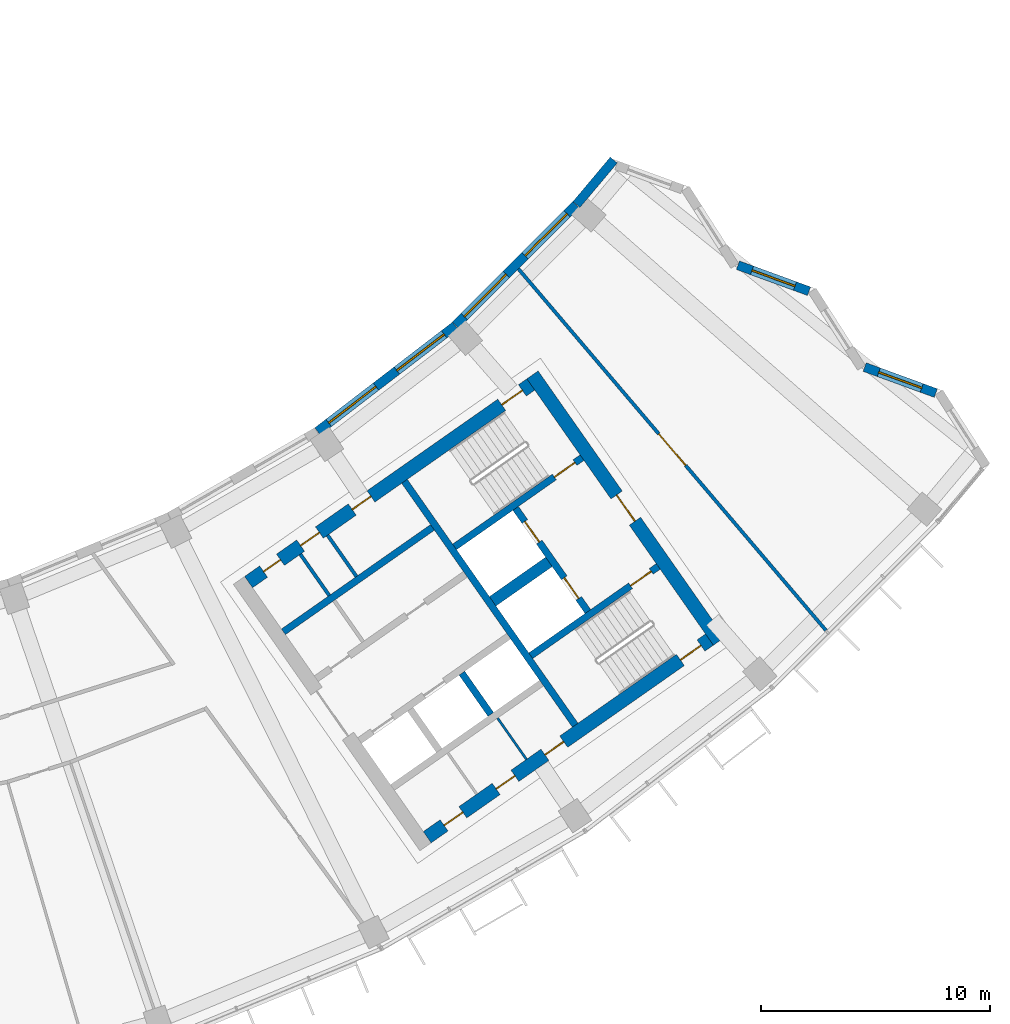
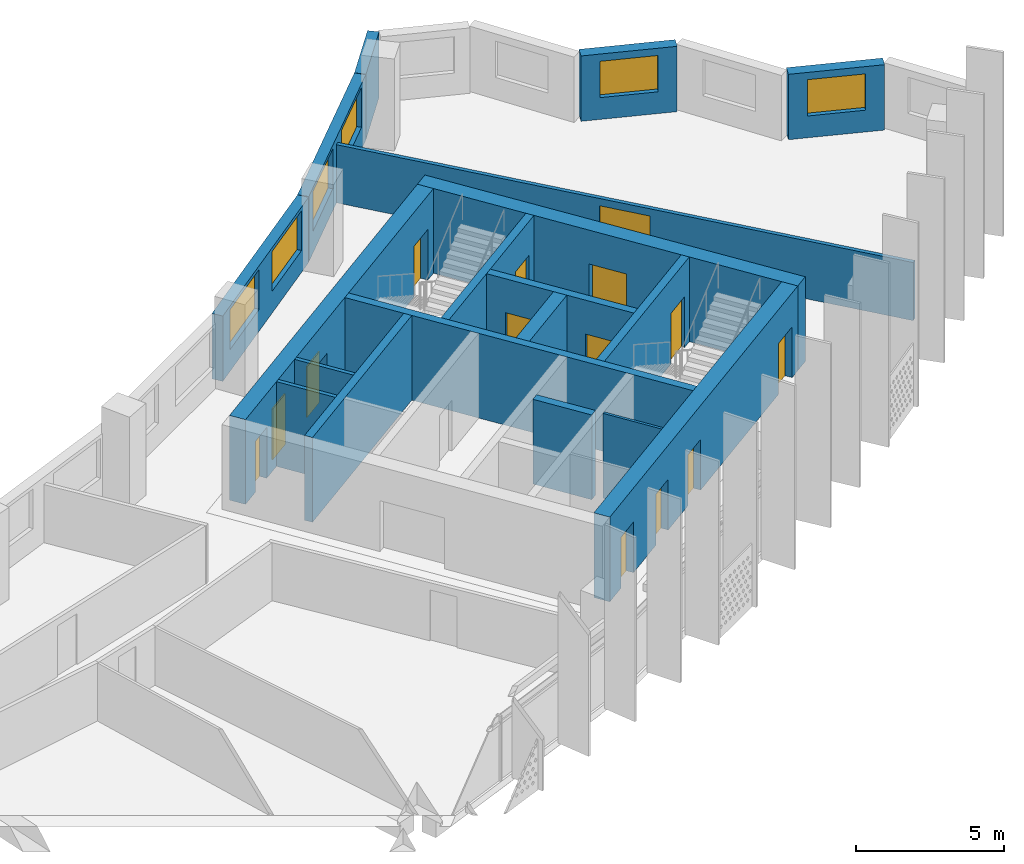
# One storey, part 7 of 28: 19 walls, 14 doors, 6 windows, 20 openings.
"""IFC4 building model written with IfcOpenShell, lengths in metres."""

from ifc_helpers import new_model, si_unit, direction, frame, frame_2d, origin, place, context, subcontext, project, spatial, rectangle, extrude, material, layer, layer_set, type_object, element, fill, save


model = new_model("IFC4")

# Units and contexts
model_context = context("Model", 3, precision=1e-05, world=origin(), true_north=direction((0.0, 1.0)))
body_context = subcontext(model_context, "Body", "Model", "MODEL_VIEW")
ifc_project = project(units=[si_unit("LENGTHUNIT", "METRE"), si_unit("AREAUNIT", "SQUARE_METRE"), si_unit("VOLUMEUNIT", "CUBIC_METRE"), si_unit("PLANEANGLEUNIT", "RADIAN"), si_unit("MASSUNIT", "GRAM", prefix="KILO")], contexts=[model_context])

# Site, building, storey
site_placement = place(None, origin())
site = spatial("IfcSite", under=ifc_project, at=site_placement, CompositionType="ELEMENT")
building_placement = place(site_placement, origin())
building = spatial("IfcBuilding", under=site, at=building_placement, Name="Qamariyya Broadcast Tower", CompositionType="ELEMENT")
storey_placement = place(building_placement, frame((0.0, 0.0, 241.699951171875)))
storey = spatial("IfcBuildingStorey", under=building, at=storey_placement, Name="L58", CompositionType="ELEMENT", Elevation=241.699951171875)

# Wall, opening, door
ifc_material_1 = material(Name="Concrete C60/75", Category="concrete")
ifc_layer_1 = layer(ifc_material_1, 0.60009765625)
ifc_layer_set_1 = layer_set([ifc_layer_1], Name="Core wall 600 mm Concrete C60/75")
wall_type_1 = type_object("IfcWallType", Name="Core wall 600 mm Concrete C60/75", PredefinedType="SHEAR", material=ifc_layer_set_1)
wall_1_placement = place(storey_placement, frame((49.4833984375, -57.031494140625, 0.0), z_axis=(0.0, 0.0, 1.0), x_axis=(-0.573560421458, 0.819163257805, 0.0)))
wall_1 = element("IfcWall", 1, at=wall_1_placement, inside=storey, type_object=wall_type_1, Name="k-E-L58-WH", PredefinedType="SHEAR", context=body_context, shape_type="SweptSolid", body=[
    extrude(rectangle(XDim=14.199951171875, YDim=0.60009765625, at=frame_2d((7.10009765625, 0.0))), origin(), (0.0, 0.0, 1.0), 3.5),
])
opening_1_placement = place(wall_1_placement, frame((6.39990234375, 0.0, 0.0)))
opening_1 = element("IfcOpeningElement", 2, at=opening_1_placement, cuts=wall_1, Name="Opening KD2-E1", PredefinedType="OPENING", context=body_context, shape_type="SweptSolid", body=[
    extrude(rectangle(XDim=1.39990234375, YDim=2.10009765625, at=frame_2d((0.699951171875, 1.050048828125))), frame((0.0, 0.31005859375, 0.0), z_axis=(0.0, -1.0, 0.0), x_axis=(1.0, 0.0, 0.0)), (0.0, 0.0, 1.0), 0.6201171875),
])
ifc_material_2 = material(Name="Steel fire-resisting door leaf", Category="steel")
door_type_1 = type_object("IfcDoorType", Name="Fire-fighting lobby door KD2", OperationType="DOUBLE_DOOR_SINGLE_SWING", PredefinedType="DOOR", material=ifc_material_2)
door_1_placement = place(opening_1_placement, origin())
door_1 = element("IfcDoor", 3, at=door_1_placement, inside=storey, type_object=door_type_1, Name="k-E-L58-WH-D14", OperationType="DOUBLE_DOOR_SINGLE_SWING", OverallHeight=2.10009765625, OverallWidth=1.39990234375, PredefinedType="DOOR", context=body_context, shape_type="SweptSolid", body=[
    extrude(rectangle(XDim=1.39990234375, YDim=2.10009765625, at=frame_2d((0.699951171875, 1.050048828125))), frame((0.0, 0.02490234375, 0.0), z_axis=(0.0, -1.0, 0.0), x_axis=(1.0, 0.0, 0.0)), (0.0, 0.0, 1.0), 0.050048828125),
])
fill(opening_1, door_1)

# Wall, openings, doors
wall_2_placement = place(storey_placement, frame((28.940673828125, -54.447021484375, 0.0), z_axis=(0.0, 0.0, 1.0), x_axis=(0.819153391756, 0.573574511963, 0.0)))
wall_2 = element("IfcWall", 4, at=wall_2_placement, inside=storey, type_object=wall_type_1, Name="k-E-L58-WI", PredefinedType="SHEAR", context=body_context, shape_type="SweptSolid", body=[
    extrude(rectangle(XDim=15.04541015625, YDim=0.60009765625, at=frame_2d((7.522705078125, 0.0))), origin(), (0.0, 0.0, 1.0), 3.5),
])
opening_2_placement = place(wall_2_placement, frame((0.800048828125, 0.0, 0.0)))
opening_2 = element("IfcOpeningElement", 5, at=opening_2_placement, cuts=wall_2, Name="Opening KD5-E1", PredefinedType="OPENING", context=body_context, shape_type="SweptSolid", body=[
    extrude(rectangle(XDim=0.89990234375, YDim=2.10009765625, at=frame_2d((0.449951171875, 1.050048828125))), frame((0.0, 0.31005859375, 0.0), z_axis=(0.0, -1.0, 0.0), x_axis=(1.0, 0.0, 0.0)), (0.0, 0.0, 1.0), 0.6201171875),
])
opening_3_placement = place(wall_2_placement, frame((2.77490234375, 0.0, 0.0)))
opening_3 = element("IfcOpeningElement", 6, at=opening_3_placement, cuts=wall_2, Name="Opening KD7-E1", PredefinedType="OPENING", context=body_context, shape_type="SweptSolid", body=[
    extrude(rectangle(XDim=1.0, YDim=2.10009765625, at=frame_2d((0.5, 1.050048828125))), frame((0.0, 0.31005859375, 0.0), z_axis=(0.0, -1.0, 0.0), x_axis=(1.0, 0.0, 0.0)), (0.0, 0.0, 1.0), 0.6201171875),
])
opening_4_placement = place(wall_2_placement, frame((5.52490234375, 0.0, 0.0)))
opening_4 = element("IfcOpeningElement", 7, at=opening_4_placement, cuts=wall_2, Name="Opening KD6-E3", PredefinedType="OPENING", context=body_context, shape_type="SweptSolid", body=[
    extrude(rectangle(XDim=1.0, YDim=2.10009765625, at=frame_2d((0.5, 1.050048828125))), frame((0.0, 0.31005859375, 0.0), z_axis=(0.0, -1.0, 0.0), x_axis=(1.0, 0.0, 0.0)), (0.0, 0.0, 1.0), 0.6201171875),
])
opening_5_placement = place(wall_2_placement, frame((13.495361328125, 0.0, 0.0)))
opening_5 = element("IfcOpeningElement", 8, at=opening_5_placement, cuts=wall_2, Name="Opening KD1-E1", PredefinedType="OPENING", context=body_context, shape_type="SweptSolid", body=[
    extrude(rectangle(XDim=1.10009765625, YDim=2.10009765625, at=frame_2d((0.550048828125, 1.050048828125))), frame((0.0, 0.31005859375, 0.0), z_axis=(0.0, -1.0, 0.0), x_axis=(1.0, 0.0, 0.0)), (0.0, 0.0, 1.0), 0.6201171875),
])
door_type_2 = type_object("IfcDoorType", Name="Accessible toilet door KD7", OperationType="SINGLE_SWING_LEFT", PredefinedType="DOOR", material=ifc_material_2)
door_2_placement = place(opening_3_placement, origin())
door_2 = element("IfcDoor", 9, at=door_2_placement, inside=storey, type_object=door_type_2, Name="k-E-L58-WI-D7", OperationType="SINGLE_SWING_LEFT", OverallHeight=2.10009765625, OverallWidth=1.0, PredefinedType="DOOR", context=body_context, shape_type="SweptSolid", body=[
    extrude(rectangle(XDim=1.0, YDim=2.10009765625, at=frame_2d((0.5, 1.050048828125))), frame((0.0, 0.02490234375, 0.0), z_axis=(0.0, -1.0, 0.0), x_axis=(1.0, 0.0, 0.0)), (0.0, 0.0, 1.0), 0.050048828125),
])
fill(opening_3, door_2)
door_type_3 = type_object("IfcDoorType", Name="Core room door KD6", OperationType="SINGLE_SWING_LEFT", PredefinedType="DOOR", material=ifc_material_2)
door_3_placement = place(opening_4_placement, origin())
door_3 = element("IfcDoor", 10, at=door_3_placement, inside=storey, type_object=door_type_3, Name="k-E-L58-WI-D8", OperationType="SINGLE_SWING_RIGHT", OverallHeight=2.10009765625, OverallWidth=1.0, PredefinedType="DOOR", context=body_context, shape_type="SweptSolid", body=[
    extrude(rectangle(XDim=1.0, YDim=2.10009765625, at=frame_2d((0.5, 1.050048828125))), frame((0.0, 0.02490234375, 0.0), z_axis=(0.0, -1.0, 0.0), x_axis=(1.0, 0.0, 0.0)), (0.0, 0.0, 1.0), 0.050048828125),
])
fill(opening_4, door_3)
door_type_4 = type_object("IfcDoorType", Name="Stair door KD1", OperationType="SINGLE_SWING_LEFT", PredefinedType="DOOR", material=ifc_material_2)
door_4_placement = place(opening_5_placement, origin())
door_4 = element("IfcDoor", 11, at=door_4_placement, inside=storey, type_object=door_type_4, Name="k-E-L58-WI-D15", OperationType="SINGLE_SWING_RIGHT", OverallHeight=2.10009765625, OverallWidth=1.10009765625, PredefinedType="DOOR", context=body_context, shape_type="SweptSolid", body=[
    extrude(rectangle(XDim=1.10009765625, YDim=2.10009765625, at=frame_2d((0.550048828125, 1.050048828125))), frame((0.0, 0.02490234375, 0.0), z_axis=(0.0, -1.0, 0.0), x_axis=(1.0, 0.0, 0.0)), (0.0, 0.0, 1.0), 0.050048828125),
])
fill(opening_5, door_4)
door_type_5 = type_object("IfcDoorType", Name="Toilet door KD5", OperationType="SINGLE_SWING_LEFT", PredefinedType="DOOR", material=ifc_material_2)
door_5_placement = place(opening_2_placement, origin())
door_5 = element("IfcDoor", 12, at=door_5_placement, inside=storey, type_object=door_type_5, Name="k-E-L58-WI-D6", OperationType="SINGLE_SWING_RIGHT", OverallHeight=2.10009765625, OverallWidth=0.89990234375, PredefinedType="DOOR", context=body_context, shape_type="SweptSolid", body=[
    extrude(rectangle(XDim=0.89990234375, YDim=2.10009765625, at=frame_2d((0.449951171875, 1.050048828125))), frame((0.0, 0.02490234375, 0.0), z_axis=(0.0, -1.0, 0.0), x_axis=(1.0, 0.0, 0.0)), (0.0, 0.0, 1.0), 0.050048828125),
])
fill(opening_2, door_5)

wall_3_placement = place(storey_placement, frame((36.7412109375, -65.58740234375, 0.0), z_axis=(0.0, 0.0, 1.0), x_axis=(0.819153391756, 0.573574511963, 0.0)))
wall_3 = element("IfcWall", 13, at=wall_3_placement, inside=storey, type_object=wall_type_1, Name="k-E-L58-WO", PredefinedType="SHEAR", context=body_context, shape_type="SweptSolid", body=[
    extrude(rectangle(XDim=15.04541015625, YDim=0.60009765625, at=frame_2d((7.522705078125, 0.0))), origin(), (0.0, 0.0, 1.0), 3.5),
])
opening_6_placement = place(wall_3_placement, frame((0.89990234375, 0.0, 0.0)))
opening_6 = element("IfcOpeningElement", 14, at=opening_6_placement, cuts=wall_3, Name="Opening KD4-E1", PredefinedType="OPENING", context=body_context, shape_type="SweptSolid", body=[
    extrude(rectangle(XDim=1.0, YDim=2.10009765625, at=frame_2d((0.5, 1.050048828125))), frame((0.0, 0.31005859375, 0.0), z_axis=(0.0, -1.0, 0.0), x_axis=(1.0, 0.0, 0.0)), (0.0, 0.0, 1.0), 0.6201171875),
])
opening_7_placement = place(wall_3_placement, frame((3.675048828125, 0.0, 0.0)))
opening_7 = element("IfcOpeningElement", 15, at=opening_7_placement, cuts=wall_3, Name="Opening KD4-E2", PredefinedType="OPENING", context=body_context, shape_type="SweptSolid", body=[
    extrude(rectangle(XDim=1.0, YDim=2.10009765625, at=frame_2d((0.5, 1.050048828125))), frame((0.0, 0.31005859375, 0.0), z_axis=(0.0, -1.0, 0.0), x_axis=(1.0, 0.0, 0.0)), (0.0, 0.0, 1.0), 0.6201171875),
])
opening_8_placement = place(wall_3_placement, frame((6.27490234375, 0.0, 0.0)))
opening_8 = element("IfcOpeningElement", 16, at=opening_8_placement, cuts=wall_3, Name="Opening KD4-E3", PredefinedType="OPENING", context=body_context, shape_type="SweptSolid", body=[
    extrude(rectangle(XDim=1.0, YDim=2.10009765625, at=frame_2d((0.5, 1.050048828125))), frame((0.0, 0.31005859375, 0.0), z_axis=(0.0, -1.0, 0.0), x_axis=(1.0, 0.0, 0.0)), (0.0, 0.0, 1.0), 0.6201171875),
])
opening_9_placement = place(wall_3_placement, frame((13.495361328125, 0.0, 0.0)))
opening_9 = element("IfcOpeningElement", 17, at=opening_9_placement, cuts=wall_3, Name="Opening KD1-E3", PredefinedType="OPENING", context=body_context, shape_type="SweptSolid", body=[
    extrude(rectangle(XDim=1.10009765625, YDim=2.10009765625, at=frame_2d((0.550048828125, 1.050048828125))), frame((0.0, 0.31005859375, 0.0), z_axis=(0.0, -1.0, 0.0), x_axis=(1.0, 0.0, 0.0)), (0.0, 0.0, 1.0), 0.6201171875),
])
door_type_6 = type_object("IfcDoorType", Name="Riser and plant door KD4", OperationType="SINGLE_SWING_LEFT", PredefinedType="DOOR", material=ifc_material_2)
door_6_placement = place(opening_6_placement, origin())
door_6 = element("IfcDoor", 18, at=door_6_placement, inside=storey, type_object=door_type_6, Name="k-E-L58-WO-D9", OperationType="SINGLE_SWING_LEFT", OverallHeight=2.10009765625, OverallWidth=1.0, PredefinedType="DOOR", context=body_context, shape_type="SweptSolid", body=[
    extrude(rectangle(XDim=1.0, YDim=2.10009765625, at=frame_2d((0.5, 1.050048828125))), frame((0.0, 0.02490234375, 0.0), z_axis=(0.0, -1.0, 0.0), x_axis=(1.0, 0.0, 0.0)), (0.0, 0.0, 1.0), 0.050048828125),
])
fill(opening_6, door_6)
door_7_placement = place(opening_7_placement, origin())
door_7 = element("IfcDoor", 19, at=door_7_placement, inside=storey, type_object=door_type_6, Name="k-E-L58-WO-D10", OperationType="SINGLE_SWING_RIGHT", OverallHeight=2.10009765625, OverallWidth=1.0, PredefinedType="DOOR", context=body_context, shape_type="SweptSolid", body=[
    extrude(rectangle(XDim=1.0, YDim=2.10009765625, at=frame_2d((0.5, 1.050048828125))), frame((0.0, 0.02490234375, 0.0), z_axis=(0.0, -1.0, 0.0), x_axis=(1.0, 0.0, 0.0)), (0.0, 0.0, 1.0), 0.050048828125),
])
fill(opening_7, door_7)
door_8_placement = place(opening_8_placement, origin())
door_8 = element("IfcDoor", 20, at=door_8_placement, inside=storey, type_object=door_type_6, Name="k-E-L58-WO-D11", OperationType="SINGLE_SWING_LEFT", OverallHeight=2.10009765625, OverallWidth=1.0, PredefinedType="DOOR", context=body_context, shape_type="SweptSolid", body=[
    extrude(rectangle(XDim=1.0, YDim=2.10009765625, at=frame_2d((0.5, 1.050048828125))), frame((0.0, 0.02490234375, 0.0), z_axis=(0.0, -1.0, 0.0), x_axis=(1.0, 0.0, 0.0)), (0.0, 0.0, 1.0), 0.050048828125),
])
fill(opening_8, door_8)
door_9_placement = place(opening_9_placement, origin())
door_9 = element("IfcDoor", 21, at=door_9_placement, inside=storey, type_object=door_type_4, Name="k-E-L58-WO-D17", OperationType="SINGLE_SWING_LEFT", OverallHeight=2.10009765625, OverallWidth=1.10009765625, PredefinedType="DOOR", context=body_context, shape_type="SweptSolid", body=[
    extrude(rectangle(XDim=1.10009765625, YDim=2.10009765625, at=frame_2d((0.550048828125, 1.050048828125))), frame((0.0, 0.02490234375, 0.0), z_axis=(0.0, -1.0, 0.0), x_axis=(1.0, 0.0, 0.0)), (0.0, 0.0, 1.0), 0.050048828125),
])
fill(opening_9, door_9)

# Wall, opening, door
ifc_material_3 = material(Name="Gypsum board partition")
ifc_layer_2 = layer(ifc_material_3, 0.14990234375)
ifc_layer_set_2 = layer_set([ifc_layer_2], Name="Corridor partition 150 EI 60")
wall_type_2 = type_object("IfcWallType", Name="Corridor partition 150 EI 60", PredefinedType="PARTITIONING", material=ifc_layer_set_2)
wall_4_placement = place(storey_placement, frame((40.724853515625, -40.7705078125, 0.0), z_axis=(0.0, 0.0, 1.0), x_axis=(0.647962636986, -0.761672121762, 0.0)))
wall_4 = element("IfcWall", 22, at=wall_4_placement, inside=storey, type_object=wall_type_2, Name="Partition L58-030", PredefinedType="PARTITIONING", context=body_context, shape_type="SweptSolid", body=[
    extrude(rectangle(XDim=20.723388671875, YDim=0.14990234375, at=frame_2d((10.36181640625, 0.0))), origin(), (0.0, 0.0, 1.0), 2.400146484375),
])
opening_10_placement = place(wall_4_placement, frame((9.461669921875, 0.0, 0.0)))
opening_10 = element("IfcOpeningElement", 23, at=opening_10_placement, cuts=wall_4, Name="Opening L58-D15", PredefinedType="OPENING", context=body_context, shape_type="SweptSolid", body=[
    extrude(rectangle(XDim=1.800048828125, YDim=2.10009765625, at=frame_2d((0.89990234375, 1.050048828125))), frame((0.0, 0.0849609375, 0.0), z_axis=(0.0, -1.0, 0.0), x_axis=(1.0, 0.0, 0.0)), (0.0, 0.0, 1.0), 0.169921875),
])
ifc_material_4 = material(Name="Timber fire door leaf", Category="wood")
door_type_7 = type_object("IfcDoorType", Name="Double fire door 1800 x 2100 FD60", OperationType="NOTDEFINED", PredefinedType="DOOR", material=ifc_material_4)
door_10_placement = place(opening_10_placement, origin())
door_10 = element("IfcDoor", 24, at=door_10_placement, inside=storey, type_object=door_type_7, Name="Door L58-D15", OperationType="DOUBLE_DOOR_SINGLE_SWING", OverallHeight=2.10009765625, OverallWidth=1.800048828125, PredefinedType="DOOR", context=body_context, shape_type="SweptSolid", body=[
    extrude(rectangle(XDim=1.800048828125, YDim=2.10009765625, at=frame_2d((0.89990234375, 1.050048828125))), frame((0.0, 0.02490234375, 0.0), z_axis=(0.0, -1.0, 0.0), x_axis=(1.0, 0.0, 0.0)), (0.0, 0.0, 1.0), 0.050048828125),
])
fill(opening_10, door_10)

# Walls
ifc_layer_3 = layer(ifc_material_1, 0.5)
ifc_layer_set_3 = layer_set([ifc_layer_3], Name="Fire-fighting lobby divider wall 500 mm Concrete C60/75")
wall_type_3 = type_object("IfcWallType", Name="Fire-fighting lobby divider wall 500 mm Concrete C60/75", PredefinedType="SOLIDWALL", material=ifc_layer_set_3)
wall_5_placement = place(storey_placement, frame((39.59912109375, -55.28515625, 0.0), z_axis=(0.0, 0.0, 1.0), x_axis=(0.819136323161, 0.573598887793, 0.0)))
element("IfcWall", 25, at=wall_5_placement, inside=storey, type_object=wall_type_3, Name="k-E-L58-FD", PredefinedType="SOLIDWALL", context=body_context, shape_type="SweptSolid", body=[
    extrude(rectangle(XDim=2.999755859375, YDim=0.5, at=frame_2d((1.5, 0.0))), origin(), (0.0, 0.0, 1.0), 3.5),
])
ifc_material_5 = material(Name="Gypsum board partition on steel studs", Category="steel")
ifc_layer_4 = layer(ifc_material_5, 0.14990234375)
ifc_layer_set_4 = layer_set([ifc_layer_4], Name="Gypsum board partition 150 mm")
wall_type_4 = type_object("IfcWallType", Name="Gypsum board partition 150 mm", PredefinedType="PARTITIONING", material=ifc_layer_set_4)
wall_6_placement = place(storey_placement, frame((32.46337890625, -55.0322265625, 0.0), z_axis=(0.0, 0.0, 1.0), x_axis=(-0.573507030513, 0.819200638399, 0.0)))
element("IfcWall", 26, at=wall_6_placement, inside=storey, type_object=wall_type_4, Name="k-E-L58-NP255", PredefinedType="PARTITIONING", context=body_context, shape_type="SweptSolid", body=[
    extrude(rectangle(XDim=2.199951171875, YDim=0.14990234375, at=frame_2d((1.10009765625, 0.0))), origin(), (0.0, 0.0, 1.0), 3.5),
])
wall_7_placement = place(storey_placement, frame((33.651123046875, -54.200439453125, 0.0), z_axis=(0.0, 0.0, 1.0), x_axis=(-0.573559170999, 0.819164133348, 0.0)))
element("IfcWall", 27, at=wall_7_placement, inside=storey, type_object=wall_type_4, Name="k-E-L58-NP400", PredefinedType="PARTITIONING", context=body_context, shape_type="SweptSolid", body=[
    extrude(rectangle(XDim=2.19970703125, YDim=0.14990234375, at=frame_2d((1.099853515625, 0.0))), origin(), (0.0, 0.0, 1.0), 3.5),
])
ifc_layer_5 = layer(ifc_material_1, 0.300048828125)
ifc_layer_set_5 = layer_set([ifc_layer_5], Name="Lift shaft wall 300 mm Concrete C60/75")
wall_type_5 = type_object("IfcWallType", Name="Lift shaft wall 300 mm Concrete C60/75", PredefinedType="SOLIDWALL", material=ifc_layer_set_5)
wall_8_placement = place(storey_placement, frame((43.204345703125, -60.69580078125, 0.0), z_axis=(0.0, 0.0, 1.0), x_axis=(-0.573571992966, 0.819155155563, 0.0)))
element("IfcWall", 28, at=wall_8_placement, inside=storey, type_object=wall_type_5, Name="k-E-L58-WL", PredefinedType="SOLIDWALL", context=body_context, shape_type="SweptSolid", body=[
    extrude(rectangle(XDim=13.000244140625, YDim=0.300048828125, at=frame_2d((6.5, 0.0))), origin(), (0.0, 0.0, 1.0), 3.5),
])
wall_9_placement = place(storey_placement, frame((30.460693359375, -56.61767578125, 0.0), z_axis=(0.0, 0.0, 1.0), x_axis=(0.819142461705, 0.573590121456, 0.0)))
element("IfcWall", 29, at=wall_9_placement, inside=storey, type_object=wall_type_5, Name="k-E-L58-NB0", PredefinedType="SOLIDWALL", context=body_context, shape_type="SweptSolid", body=[
    extrude(rectangle(XDim=7.949951171875, YDim=0.300048828125, at=frame_2d((3.97509765625, 0.0))), origin(), (0.0, 0.0, 1.0), 3.5),
])
wall_10_placement = place(storey_placement, frame((38.255859375, -58.423095703125, 0.0), z_axis=(0.0, 0.0, 1.0), x_axis=(0.573633636671, -0.819111989218, 0.0)))
element("IfcWall", 30, at=wall_10_placement, inside=storey, type_object=wall_type_5, Name="k-E-L58-SD1", PredefinedType="SOLIDWALL", context=body_context, shape_type="SweptSolid", body=[
    extrude(rectangle(XDim=2.199951171875, YDim=0.300048828125, at=frame_2d((1.10009765625, 0.0))), origin(), (0.0, 0.0, 1.0), 3.5),
])

# Wall, opening, door
wall_11_placement = place(storey_placement, frame((37.935546875, -52.90966796875, 0.0), z_axis=(0.0, 0.0, 1.0), x_axis=(0.819147518138, 0.57358290031, 0.0)))
wall_11 = element("IfcWall", 31, at=wall_11_placement, inside=storey, type_object=wall_type_5, Name="k-E-L58-NW", PredefinedType="SOLIDWALL", context=body_context, shape_type="SweptSolid", body=[
    extrude(rectangle(XDim=6.79541015625, YDim=0.300048828125, at=frame_2d((3.397705078125, 0.0))), origin(), (0.0, 0.0, 1.0), 3.5),
])
opening_11_placement = place(wall_11_placement, frame((5.3203125, 0.0, 0.0)))
opening_11 = element("IfcOpeningElement", 32, at=opening_11_placement, cuts=wall_11, Name="Opening KD1-E2", PredefinedType="OPENING", context=body_context, shape_type="SweptSolid", body=[
    extrude(rectangle(XDim=1.10009765625, YDim=2.10009765625, at=frame_2d((0.550048828125, 1.050048828125))), frame((0.0, 0.159912109375, 0.0), z_axis=(0.0, -1.0, 0.0), x_axis=(1.0, 0.0, 0.0)), (0.0, 0.0, 1.0), 0.320068359375),
])
door_11_placement = place(opening_11_placement, origin())
door_11 = element("IfcDoor", 33, at=door_11_placement, inside=storey, type_object=door_type_4, Name="k-E-L58-NW-D16", OperationType="SINGLE_SWING_RIGHT", OverallHeight=2.10009765625, OverallWidth=1.10009765625, PredefinedType="DOOR", context=body_context, shape_type="SweptSolid", body=[
    extrude(rectangle(XDim=1.10009765625, YDim=2.10009765625, at=frame_2d((0.550048828125, 1.050048828125))), frame((0.0, 0.02490234375, 0.0), z_axis=(0.0, -1.0, 0.0), x_axis=(1.0, 0.0, 0.0)), (0.0, 0.0, 1.0), 0.050048828125),
])
fill(opening_11, door_11)

wall_12_placement = place(storey_placement, frame((41.262451171875, -57.66064453125, 0.0), z_axis=(0.0, 0.0, 1.0), x_axis=(0.819164398642, 0.573558792102, 0.0)))
wall_12 = element("IfcWall", 34, at=wall_12_placement, inside=storey, type_object=wall_type_5, Name="k-E-L58-SW", PredefinedType="SOLIDWALL", context=body_context, shape_type="SweptSolid", body=[
    extrude(rectangle(XDim=6.795166015625, YDim=0.300048828125, at=frame_2d((3.3974609375, 0.0))), origin(), (0.0, 0.0, 1.0), 3.5),
])
opening_12_placement = place(wall_12_placement, frame((5.3203125, 0.0, 0.0)))
opening_12 = element("IfcOpeningElement", 35, at=opening_12_placement, cuts=wall_12, Name="Opening KD1-E4", PredefinedType="OPENING", context=body_context, shape_type="SweptSolid", body=[
    extrude(rectangle(XDim=1.10009765625, YDim=2.10009765625, at=frame_2d((0.550048828125, 1.050048828125))), frame((0.0, 0.159912109375, 0.0), z_axis=(0.0, -1.0, 0.0), x_axis=(1.0, 0.0, 0.0)), (0.0, 0.0, 1.0), 0.320068359375),
])
door_12_placement = place(opening_12_placement, origin())
door_12 = element("IfcDoor", 36, at=door_12_placement, inside=storey, type_object=door_type_4, Name="k-E-L58-SW-D18", OperationType="SINGLE_SWING_RIGHT", OverallHeight=2.10009765625, OverallWidth=1.10009765625, PredefinedType="DOOR", context=body_context, shape_type="SweptSolid", body=[
    extrude(rectangle(XDim=1.10009765625, YDim=2.10009765625, at=frame_2d((0.550048828125, 1.050048828125))), frame((0.0, 0.02490234375, 0.0), z_axis=(0.0, -1.0, 0.0), x_axis=(1.0, 0.0, 0.0)), (0.0, 0.0, 1.0), 0.050048828125),
])
fill(opening_12, door_12)

# Wall, openings, doors
wall_13_placement = place(storey_placement, frame((43.756591796875, -55.731201171875, 0.0), z_axis=(0.0, 0.0, 1.0), x_axis=(-0.573536818435, 0.819179783625, 0.0)))
wall_13 = element("IfcWall", 37, at=wall_13_placement, inside=storey, type_object=wall_type_5, Name="k-E-L58-FF", PredefinedType="SOLIDWALL", context=body_context, shape_type="SweptSolid", body=[
    extrude(rectangle(XDim=5.500244140625, YDim=0.300048828125, at=frame_2d((2.75, 0.0))), origin(), (0.0, 0.0, 1.0), 3.5),
])
opening_13_placement = place(wall_13_placement, frame((0.699951171875, 0.0, 0.0)))
opening_13 = element("IfcOpeningElement", 38, at=opening_13_placement, cuts=wall_13, Name="Opening LD", PredefinedType="OPENING", context=body_context, shape_type="SweptSolid", body=[
    extrude(rectangle(XDim=1.10009765625, YDim=2.10009765625, at=frame_2d((0.550048828125, 1.050048828125))), frame((0.0, 0.159912109375, 0.0), z_axis=(0.0, -1.0, 0.0), x_axis=(1.0, 0.0, 0.0)), (0.0, 0.0, 1.0), 0.320068359375),
])
opening_14_placement = place(wall_13_placement, frame((3.699951171875, 0.0, 0.0)))
opening_14 = element("IfcOpeningElement", 39, at=opening_14_placement, cuts=wall_13, Name="Opening LD", PredefinedType="OPENING", context=body_context, shape_type="SweptSolid", body=[
    extrude(rectangle(XDim=1.10009765625, YDim=2.10009765625, at=frame_2d((0.550048828125, 1.050048828125))), frame((0.0, 0.159912109375, 0.0), z_axis=(0.0, -1.0, 0.0), x_axis=(1.0, 0.0, 0.0)), (0.0, 0.0, 1.0), 0.320068359375),
])
door_type_8 = type_object("IfcDoorType", Name="Lift landing door LD", OperationType="DOUBLE_DOOR_SLIDING", PredefinedType="DOOR", material=ifc_material_2)
door_13_placement = place(opening_13_placement, origin())
door_13 = element("IfcDoor", 40, at=door_13_placement, inside=storey, type_object=door_type_8, Name="k-E-L58-FF-D12", OperationType="DOUBLE_DOOR_SLIDING", OverallHeight=2.10009765625, OverallWidth=1.10009765625, PredefinedType="DOOR", context=body_context, shape_type="SweptSolid", body=[
    extrude(rectangle(XDim=1.10009765625, YDim=2.10009765625, at=frame_2d((0.550048828125, 1.050048828125))), frame((0.0, 0.02490234375, 0.0), z_axis=(0.0, -1.0, 0.0), x_axis=(1.0, 0.0, 0.0)), (0.0, 0.0, 1.0), 0.050048828125),
])
fill(opening_13, door_13)
door_14_placement = place(opening_14_placement, origin())
door_14 = element("IfcDoor", 41, at=door_14_placement, inside=storey, type_object=door_type_8, Name="k-E-L58-FF-D13", OperationType="DOUBLE_DOOR_SLIDING", OverallHeight=2.10009765625, OverallWidth=1.10009765625, PredefinedType="DOOR", context=body_context, shape_type="SweptSolid", body=[
    extrude(rectangle(XDim=1.10009765625, YDim=2.10009765625, at=frame_2d((0.550048828125, 1.050048828125))), frame((0.0, 0.02490234375, 0.0), z_axis=(0.0, -1.0, 0.0), x_axis=(1.0, 0.0, 0.0)), (0.0, 0.0, 1.0), 0.050048828125),
])
fill(opening_14, door_14)

# Wall
ifc_material_6 = material(Name="Fire-rated gypsum shaft liner on steel studs", Category="steel")
ifc_layer_6 = layer(ifc_material_6, 0.10009765625)
ifc_layer_set_6 = layer_set([ifc_layer_6], Name="Riser wall 100 mm")
wall_type_6 = type_object("IfcWallType", Name="Riser wall 100 mm", PredefinedType="PLUMBINGWALL", material=ifc_layer_set_6)
wall_14_placement = place(storey_placement, frame((39.812744140625, -60.384765625, 0.0), z_axis=(0.0, 0.0, 1.0), x_axis=(0.573581496053, -0.819148501424, 0.0)))
element("IfcWall", 42, at=wall_14_placement, inside=storey, type_object=wall_type_6, Name="k-E-L58-SP550", PredefinedType="PLUMBINGWALL", context=body_context, shape_type="SweptSolid", body=[
    extrude(rectangle(XDim=2.2001953125, YDim=0.10009765625, at=frame_2d((1.10009765625, 0.0))), origin(), (0.0, 0.0, 1.0), 3.5),
])

# Wall, opening, window
ifc_material_7 = material(Name="Terracotta", Category="masonry")
ifc_layer_7 = layer(ifc_material_7, 0.39990234375)
ifc_layer_set_7 = layer_set([ifc_layer_7], Name="Terracotta clad wall 400")
wall_type_7 = type_object("IfcWallType", Name="Terracotta clad wall 400", PredefinedType="SOLIDWALL", material=ifc_layer_set_7)
wall_15_placement = place(storey_placement, frame((58.948486328125, -46.19287109375, 0.0), z_axis=(0.0, 0.0, 1.0), x_axis=(-0.939302921411, 0.343088941571, 0.0)))
wall_15 = element("IfcWall", 43, at=wall_15_placement, inside=storey, type_object=wall_type_7, Name="e-wl-L58-capE1", PredefinedType="SOLIDWALL", context=body_context, shape_type="SweptSolid", body=[
    extrude(rectangle(XDim=3.305419921875, YDim=0.39990234375, at=frame_2d((1.65283203125, 0.0))), origin(), (0.0, 0.0, 1.0), 2.699951171875),
])
opening_15_placement = place(wall_15_placement, frame((0.652587890625, 0.0, 0.89990234375)))
opening_15 = element("IfcOpeningElement", 44, at=opening_15_placement, cuts=wall_15, Name="Opening W4", PredefinedType="OPENING", context=body_context, shape_type="SweptSolid", body=[
    extrude(rectangle(XDim=2.0, YDim=1.5, at=frame_2d((1.0, 0.75))), frame((0.0, 0.2099609375, 0.0), z_axis=(0.0, -1.0, 0.0), x_axis=(1.0, 0.0, 0.0)), (0.0, 0.0, 1.0), 0.419921875),
])
ifc_material_8 = material(Name="Clear low-e double glazed unit in aluminium frame", Category="aluminium")
window_type_1 = type_object("IfcWindowType", Name="Horn bay window 2000 x 1500", PartitioningType="SINGLE_PANEL", PredefinedType="WINDOW", material=ifc_material_8)
window_1_placement = place(opening_15_placement, origin())
window_1 = element("IfcWindow", 45, at=window_1_placement, inside=storey, type_object=window_type_1, Name="e-w-L58-capE1", OverallHeight=1.5, OverallWidth=2.0, PartitioningType="SINGLE_PANEL", PredefinedType="WINDOW", context=body_context, shape_type="SweptSolid", body=[
    extrude(rectangle(XDim=2.0, YDim=1.5, at=frame_2d((1.0, 0.75))), frame((0.0, 0.030029296875, 0.0), z_axis=(0.0, -1.0, 0.0), x_axis=(1.0, 0.0, 0.0)), (0.0, 0.0, 1.0), 0.06005859375),
])
fill(opening_15, window_1)

wall_16_placement = place(storey_placement, frame((53.413330078125, -41.74462890625, 0.0), z_axis=(0.0, 0.0, 1.0), x_axis=(-0.939348252483, 0.342964809503, 0.0)))
wall_16 = element("IfcWall", 46, at=wall_16_placement, inside=storey, type_object=wall_type_7, Name="e-wl-L58-capE3", PredefinedType="SOLIDWALL", context=body_context, shape_type="SweptSolid", body=[
    extrude(rectangle(XDim=3.304443359375, YDim=0.39990234375, at=frame_2d((1.65234375, 0.0))), origin(), (0.0, 0.0, 1.0), 2.699951171875),
])
opening_16_placement = place(wall_16_placement, frame((0.652099609375, 0.0, 0.89990234375)))
opening_16 = element("IfcOpeningElement", 47, at=opening_16_placement, cuts=wall_16, Name="Opening W4", PredefinedType="OPENING", context=body_context, shape_type="SweptSolid", body=[
    extrude(rectangle(XDim=2.0, YDim=1.5, at=frame_2d((1.0, 0.75))), frame((0.0, 0.2099609375, 0.0), z_axis=(0.0, -1.0, 0.0), x_axis=(1.0, 0.0, 0.0)), (0.0, 0.0, 1.0), 0.419921875),
])
window_2_placement = place(opening_16_placement, origin())
window_2 = element("IfcWindow", 48, at=window_2_placement, inside=storey, type_object=window_type_1, Name="e-w-L58-capE3", OverallHeight=1.5, OverallWidth=2.0, PartitioningType="SINGLE_PANEL", PredefinedType="WINDOW", context=body_context, shape_type="SweptSolid", body=[
    extrude(rectangle(XDim=2.0, YDim=1.5, at=frame_2d((1.0, 0.75))), frame((0.0, 0.030029296875, 0.0), z_axis=(0.0, -1.0, 0.0), x_axis=(1.0, 0.0, 0.0)), (0.0, 0.0, 1.0), 0.06005859375),
])
fill(opening_16, window_2)

# Wall, openings, windows
wall_17_placement = place(storey_placement, frame((37.965576171875, -43.25341796875, 0.0), z_axis=(0.0, 0.0, 1.0), x_axis=(-0.793356365089, -0.608757486995, 0.0)))
wall_17 = element("IfcWall", 49, at=wall_17_placement, inside=storey, type_object=wall_type_7, Name="e-wl-L58-in130", PredefinedType="SOLIDWALL", context=body_context, shape_type="SweptSolid", body=[
    extrude(rectangle(XDim=7.578125, YDim=0.39990234375, at=frame_2d((3.7890625, 0.0))), origin(), (0.0, 0.0, 1.0), 2.699951171875),
])
opening_17_placement = place(wall_17_placement, frame((4.364501953125, 0.0, 0.89990234375)))
opening_17 = element("IfcOpeningElement", 50, at=opening_17_placement, cuts=wall_17, Name="Opening W1", PredefinedType="OPENING", context=body_context, shape_type="SweptSolid", body=[
    extrude(rectangle(XDim=2.60009765625, YDim=1.64990234375, at=frame_2d((1.300048828125, 0.824951171875))), frame((0.0, 0.2099609375, 0.0), z_axis=(0.0, -1.0, 0.0), x_axis=(1.0, 0.0, 0.0)), (0.0, 0.0, 1.0), 0.419921875),
])
opening_18_placement = place(wall_17_placement, frame((0.613525390625, 0.0, 0.89990234375)))
opening_18 = element("IfcOpeningElement", 51, at=opening_18_placement, cuts=wall_17, Name="Opening W1", PredefinedType="OPENING", context=body_context, shape_type="SweptSolid", body=[
    extrude(rectangle(XDim=2.60009765625, YDim=1.64990234375, at=frame_2d((1.300048828125, 0.824951171875))), frame((0.0, 0.2099609375, 0.0), z_axis=(0.0, -1.0, 0.0), x_axis=(1.0, 0.0, 0.0)), (0.0, 0.0, 1.0), 0.419921875),
])
window_type_2 = type_object("IfcWindowType", Name="Ribbon window 2600 x 1650", PartitioningType="SINGLE_PANEL", PredefinedType="WINDOW", material=ifc_material_8)
window_3_placement = place(opening_17_placement, origin())
window_3 = element("IfcWindow", 52, at=window_3_placement, inside=storey, type_object=window_type_2, Name="e-w-L58-in13-0", OverallHeight=1.64990234375, OverallWidth=2.60009765625, PartitioningType="SINGLE_PANEL", PredefinedType="WINDOW", context=body_context, shape_type="SweptSolid", body=[
    extrude(rectangle(XDim=2.60009765625, YDim=1.64990234375, at=frame_2d((1.300048828125, 0.824951171875))), frame((0.0, 0.030029296875, 0.0), z_axis=(0.0, -1.0, 0.0), x_axis=(1.0, 0.0, 0.0)), (0.0, 0.0, 1.0), 0.06005859375),
])
fill(opening_17, window_3)
window_4_placement = place(opening_18_placement, origin())
window_4 = element("IfcWindow", 53, at=window_4_placement, inside=storey, type_object=window_type_2, Name="e-w-L58-in13-1", OverallHeight=1.64990234375, OverallWidth=2.60009765625, PartitioningType="SINGLE_PANEL", PredefinedType="WINDOW", context=body_context, shape_type="SweptSolid", body=[
    extrude(rectangle(XDim=2.60009765625, YDim=1.64990234375, at=frame_2d((1.300048828125, 0.824951171875))), frame((0.0, 0.030029296875, 0.0), z_axis=(0.0, -1.0, 0.0), x_axis=(1.0, 0.0, 0.0)), (0.0, 0.0, 1.0), 0.06005859375),
])
fill(opening_18, window_4)

wall_18_placement = place(storey_placement, frame((43.242919921875, -37.971435546875, 0.0), z_axis=(0.0, 0.0, 1.0), x_axis=(-0.707106781187, -0.707106781187, 0.0)))
wall_18 = element("IfcWall", 54, at=wall_18_placement, inside=storey, type_object=wall_type_7, Name="e-wl-L58-in140", PredefinedType="SOLIDWALL", context=body_context, shape_type="SweptSolid", body=[
    extrude(rectangle(XDim=7.44091796875, YDim=0.39990234375, at=frame_2d((3.720458984375, 0.0))), origin(), (0.0, 0.0, 1.0), 2.699951171875),
])
opening_19_placement = place(wall_18_placement, frame((4.302734375, 0.0, 0.89990234375)))
opening_19 = element("IfcOpeningElement", 55, at=opening_19_placement, cuts=wall_18, Name="Opening W1", PredefinedType="OPENING", context=body_context, shape_type="SweptSolid", body=[
    extrude(rectangle(XDim=2.60009765625, YDim=1.64990234375, at=frame_2d((1.300048828125, 0.824951171875))), frame((0.0, 0.2099609375, 0.0), z_axis=(0.0, -1.0, 0.0), x_axis=(1.0, 0.0, 0.0)), (0.0, 0.0, 1.0), 0.419921875),
])
opening_20_placement = place(wall_18_placement, frame((0.552001953125, 0.0, 0.89990234375)))
opening_20 = element("IfcOpeningElement", 56, at=opening_20_placement, cuts=wall_18, Name="Opening W1", PredefinedType="OPENING", context=body_context, shape_type="SweptSolid", body=[
    extrude(rectangle(XDim=2.60009765625, YDim=1.64990234375, at=frame_2d((1.300048828125, 0.824951171875))), frame((0.0, 0.2099609375, 0.0), z_axis=(0.0, -1.0, 0.0), x_axis=(1.0, 0.0, 0.0)), (0.0, 0.0, 1.0), 0.419921875),
])
window_5_placement = place(opening_19_placement, origin())
window_5 = element("IfcWindow", 57, at=window_5_placement, inside=storey, type_object=window_type_2, Name="e-w-L58-in14-0", OverallHeight=1.64990234375, OverallWidth=2.60009765625, PartitioningType="SINGLE_PANEL", PredefinedType="WINDOW", context=body_context, shape_type="SweptSolid", body=[
    extrude(rectangle(XDim=2.60009765625, YDim=1.64990234375, at=frame_2d((1.300048828125, 0.824951171875))), frame((0.0, 0.030029296875, 0.0), z_axis=(0.0, -1.0, 0.0), x_axis=(1.0, 0.0, 0.0)), (0.0, 0.0, 1.0), 0.06005859375),
])
fill(opening_19, window_5)
window_6_placement = place(opening_20_placement, origin())
window_6 = element("IfcWindow", 58, at=window_6_placement, inside=storey, type_object=window_type_2, Name="e-w-L58-in14-1", OverallHeight=1.64990234375, OverallWidth=2.60009765625, PartitioningType="SINGLE_PANEL", PredefinedType="WINDOW", context=body_context, shape_type="SweptSolid", body=[
    extrude(rectangle(XDim=2.60009765625, YDim=1.64990234375, at=frame_2d((1.300048828125, 0.824951171875))), frame((0.0, 0.030029296875, 0.0), z_axis=(0.0, -1.0, 0.0), x_axis=(1.0, 0.0, 0.0)), (0.0, 0.0, 1.0), 0.06005859375),
])
fill(opening_20, window_6)

# Wall
wall_19_placement = place(storey_placement, frame((44.8857421875, -36.01904296875, 0.0), z_axis=(0.0, 0.0, 1.0), x_axis=(-0.643031689732, -0.765839569362, 0.0)))
element("IfcWall", 59, at=wall_19_placement, inside=storey, type_object=wall_type_7, Name="e-wl-L58-in150", PredefinedType="SOLIDWALL", context=body_context, shape_type="SweptSolid", body=[
    extrude(rectangle(XDim=2.53466796875, YDim=0.39990234375, at=frame_2d((1.267333984375, 0.0))), origin(), (0.0, 0.0, 1.0), 2.699951171875),
])

save(model, "model.ifc")
